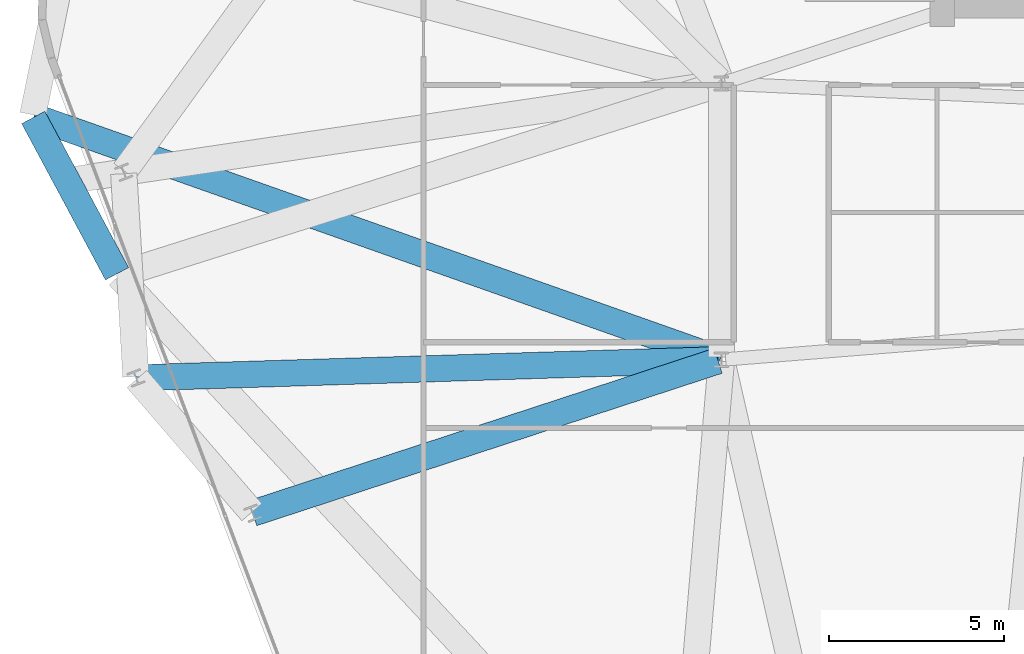
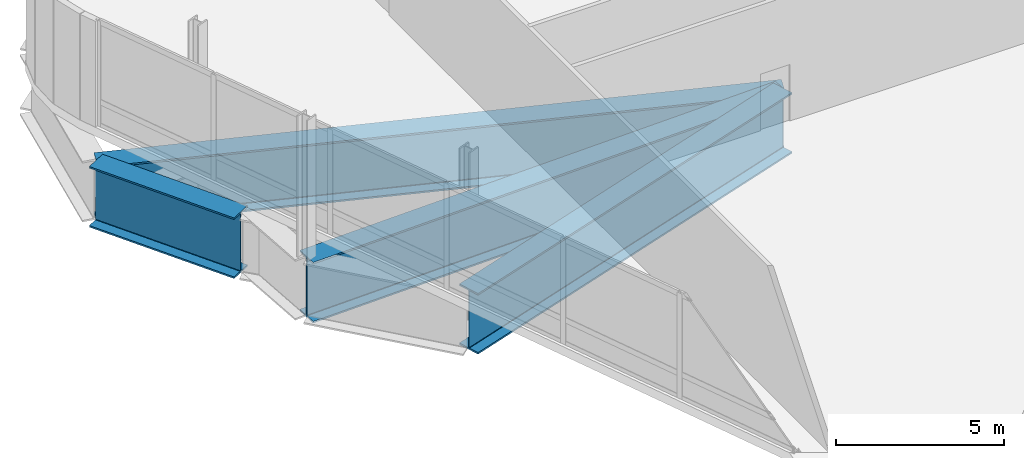
# One storey, part 6 of 19: 4 beams.
"""IFC4 building model written with IfcOpenShell, lengths in metres."""

from ifc_helpers import new_model, si_unit, direction, frame, origin, origin_2d, place, context, subcontext, project, spatial, i_section, extrude, material, material_profile, profile_set, type_object, element, save


model = new_model("IFC4")

# Units and contexts
model_context = context("Model", 3, precision=1e-05, world=origin(), true_north=direction((0.0, 1.0)))
body_context = subcontext(model_context, "Body", "Model", "MODEL_VIEW")
ifc_project = project(units=[si_unit("LENGTHUNIT", "METRE"), si_unit("AREAUNIT", "SQUARE_METRE"), si_unit("VOLUMEUNIT", "CUBIC_METRE"), si_unit("PLANEANGLEUNIT", "RADIAN"), si_unit("MASSUNIT", "GRAM", prefix="KILO")], contexts=[model_context])

# Site, building, storey
site_placement = place(None, origin())
site = spatial("IfcSite", under=ifc_project, at=site_placement, CompositionType="ELEMENT")
building_placement = place(site_placement, origin())
building = spatial("IfcBuilding", under=site, at=building_placement, Name="Varnelok Gate Tower", CompositionType="ELEMENT")
storey_placement = place(building_placement, frame((0.0, 0.0, 207.89990234375)))
storey = spatial("IfcBuildingStorey", under=building, at=storey_placement, Name="L53", CompositionType="ELEMENT", Elevation=207.89990234375)

# Beams
ifc_material = material(Name="Structural Steel ASTM A572 Grade 50", Category="steel")
ifc_material_profile = material_profile(ifc_material, i_section(OverallWidth=0.75, OverallDepth=2.199951171875, WebThickness=0.031982421875, FlangeThickness=0.06005859375, FilletRadius=0.028076171875, at=origin_2d()), Name="PG2200X750")
ifc_profile_set = profile_set([ifc_material_profile], Name="Structural Steel ASTM A572 Grade 50")
beam_type = type_object("IfcBeamType", Name="BM-TR-PG2200", PredefinedType="BEAM", material=ifc_profile_set)
beam_1_placement = place(storey_placement, frame((4.7646484375, 25.711669921875, -1.419921875), z_axis=(0.472485122348, -0.881338646128, 0.0), x_axis=(0.881338646128, 0.472485122348, 0.0)))
element("IfcBeam", 1, at=beam_1_placement, inside=storey, type_object=beam_type, Name="L53 Transfer Support Ring Girder 15", PredefinedType="BEAM", context=body_context, shape_type="SweptSolid", body=[
    extrude(i_section(OverallWidth=0.75, OverallDepth=2.199951171875, WebThickness=0.031982421875, FlangeThickness=0.06005859375, FilletRadius=0.028076171875, at=origin_2d()), origin(), (0.0, 0.0, 1.0), 5.060791015625),
])
beam_2_placement = place(storey_placement, frame((24.3623046875, 18.813232421875, -1.419921875), z_axis=(-0.942835693458, 0.333257940854, 0.0), x_axis=(-0.333257940854, -0.942835693458, 0.0)))
element("IfcBeam", 2, at=beam_2_placement, inside=storey, type_object=beam_type, Name="L53 Radial Transfer Main Girder 15", PredefinedType="BEAM", context=body_context, shape_type="SweptSolid", body=[
    extrude(i_section(OverallWidth=0.75, OverallDepth=2.199951171875, WebThickness=0.031982421875, FlangeThickness=0.06005859375, FilletRadius=0.028076171875, at=origin_2d()), origin(), (0.0, 0.0, 1.0), 20.765869140625),
])
beam_3_placement = place(storey_placement, frame((24.300048828125, 18.796875, -1.419921875), z_axis=(-0.999516881398, -0.031080601684, 0.0), x_axis=(0.031080601684, -0.999516881398, 0.0)))
element("IfcBeam", 3, at=beam_3_placement, inside=storey, type_object=beam_type, Name="L53 Column Transfer Carrier Girder 15", PredefinedType="BEAM", context=body_context, shape_type="SweptSolid", body=[
    extrude(i_section(OverallWidth=0.75, OverallDepth=2.199951171875, WebThickness=0.031982421875, FlangeThickness=0.06005859375, FilletRadius=0.028076171875, at=origin_2d()), origin(), (0.0, 0.0, 1.0), 16.613525390625),
])
beam_4_placement = place(storey_placement, frame((24.304931640625, 18.768798828125, -1.419921875), z_axis=(-0.950335406457, -0.311227593947, 0.0), x_axis=(0.311227593947, -0.950335406457, 0.0)))
element("IfcBeam", 4, at=beam_4_placement, inside=storey, type_object=beam_type, Name="L53 Column Transfer Carrier Girder 16", PredefinedType="BEAM", context=body_context, shape_type="SweptSolid", body=[
    extrude(i_section(OverallWidth=0.75, OverallDepth=2.199951171875, WebThickness=0.031982421875, FlangeThickness=0.06005859375, FilletRadius=0.028076171875, at=origin_2d()), origin(), (0.0, 0.0, 1.0), 13.9716796875),
])

save(model, "model.ifc")
